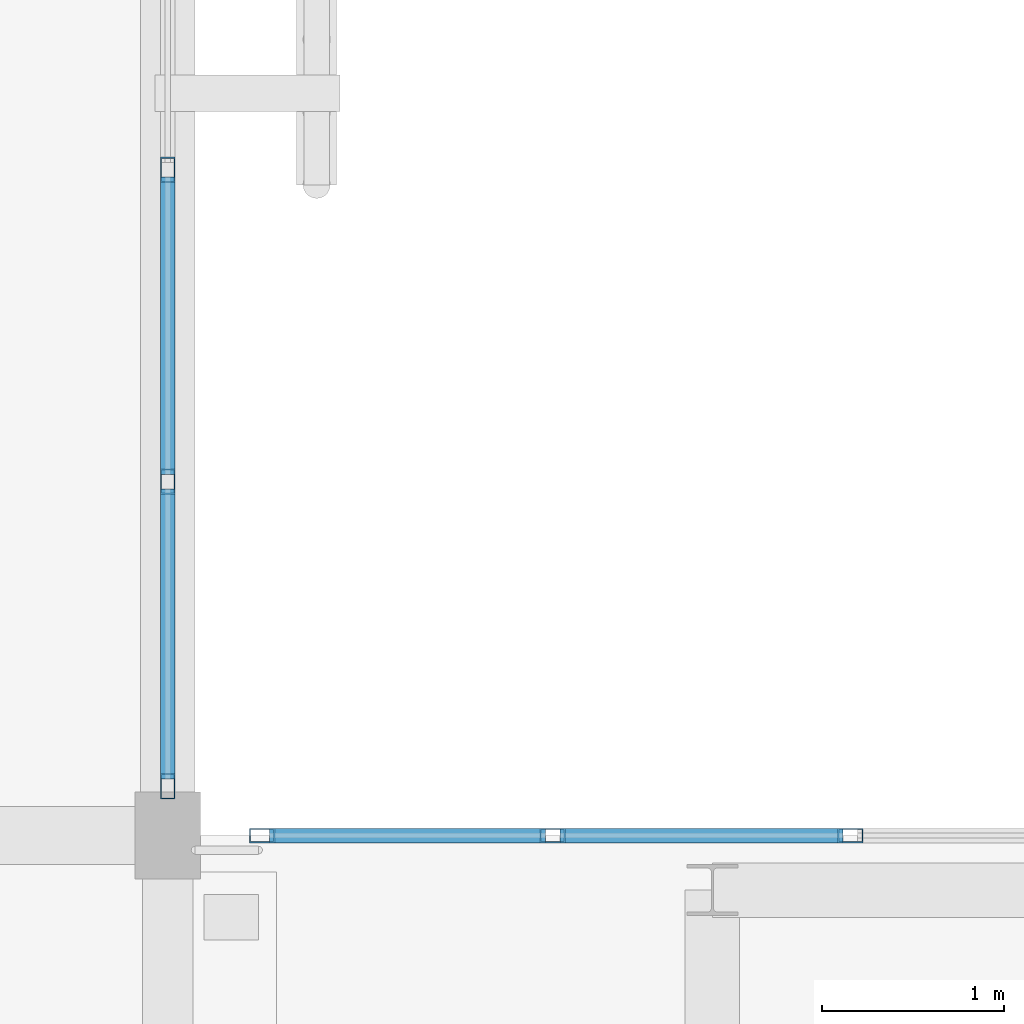
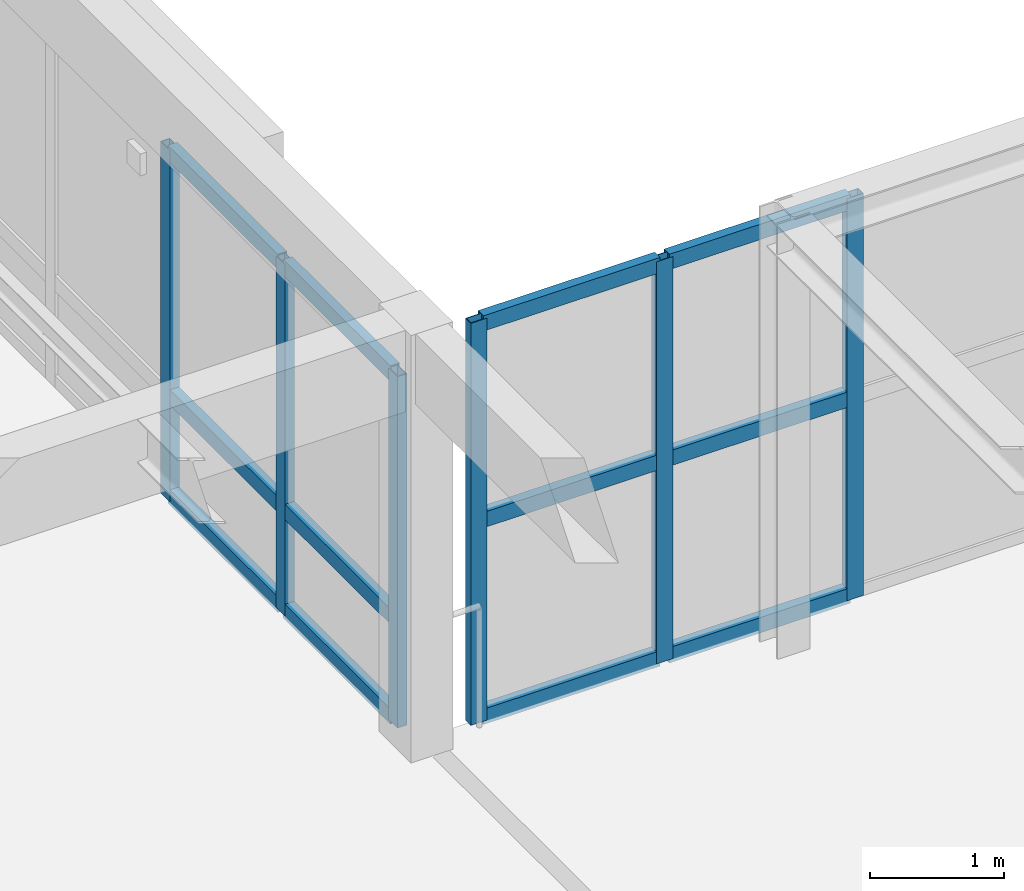
# One storey, part 64 of 217: 18 members, 2 elements without a shape of their own.
"""IFC4 building model written with IfcOpenShell, lengths in metres."""

import ifcopenshell
import ifcopenshell.guid

model = None  # the IFC model being written
_history = None  # IfcOwnerHistory: only IFC2X3 demands one
_inside = {}  # id of a spatial element -> (the spatial element, [elements in it])
_under = {}  # id of a project, library or spatial element -> (it, [spatial elements below it])
_declared = {}  # id of a project -> (the project, [libraries it declares])
_typed = {}  # id of a type object -> (the type object, [elements of that type])
_made_of = {}  # id of a material, layer set ... -> (it, [elements and type objects made of it])


def new_model(schema):
    """Start an empty IFC model of exactly this schema.

    Asked for "IFC4X3", IfcOpenShell would pick the latest addendum, in which some entities
    have other attributes; the version numbers below select the first issue.
    IFC2X3 requires an IfcOwnerHistory on every rooted entity: one is made here for all.
    """
    global model, _history
    if schema == "IFC4X3":
        model = ifcopenshell.file(schema_version=(4, 3, 0, 0))
    else:
        model = ifcopenshell.file(schema=schema)
    _inside.clear()
    _under.clear()
    _declared.clear()
    _typed.clear()
    _made_of.clear()
    _history = None
    if model.schema == "IFC2X3":
        org = make("IfcOrganization", Name="unknown")
        user = make(
            "IfcPersonAndOrganization",
            ThePerson=make("IfcPerson", FamilyName="unknown"),
            TheOrganization=org,
        )
        app = make(
            "IfcApplication",
            ApplicationDeveloper=org,
            Version="unknown",
            ApplicationFullName="unknown",
            ApplicationIdentifier="unknown",
        )
        _history = make(
            "IfcOwnerHistory",
            OwningUser=user,
            OwningApplication=app,
            ChangeAction="ADDED",
            CreationDate=0,
        )
    return model


def make(cls, **values):
    """One entity of the class cls with the attributes given. An attribute that is None is left unset."""
    return model.create_entity(
        cls, **{name: value for name, value in values.items() if value is not None}
    )


def rooted(cls, **values):
    """An entity with a GlobalId (a new one), such as an element, a storey or a relation."""
    return make(cls, GlobalId=ifcopenshell.guid.new(), OwnerHistory=_history, **values)


def si_unit(unit_type, name, prefix=None):
    """IfcSIUnit, for example si_unit("LENGTHUNIT", "METRE", prefix="MILLI")."""
    return make("IfcSIUnit", UnitType=unit_type, Prefix=prefix, Name=name)


def assignment(units):
    """IfcUnitAssignment: the units of a project."""
    return None if units is None else make("IfcUnitAssignment", Units=units)


def point(xyz):
    """IfcCartesianPoint."""
    return None if xyz is None else make("IfcCartesianPoint", Coordinates=xyz)


def direction(xyz):
    """IfcDirection."""
    return None if xyz is None else make("IfcDirection", DirectionRatios=xyz)


def frame(location, z_axis=None, x_axis=None):
    """IfcAxis2Placement3D, a coordinate frame: its origin and axes. An axis left out is left unset."""
    return make(
        "IfcAxis2Placement3D",
        Location=point(location),
        Axis=direction(z_axis),
        RefDirection=direction(x_axis),
    )


def frame_2d(location, x_axis=None):
    """IfcAxis2Placement2D, a coordinate frame in the plane: its origin and x axis."""
    return make(
        "IfcAxis2Placement2D", Location=point(location), RefDirection=direction(x_axis)
    )


def origin():
    """The frame at (0, 0, 0) with its axes left unset."""
    return frame((0.0, 0.0, 0.0))


def origin_2d():
    """The frame at (0, 0) in the plane with its x axis left unset."""
    return frame_2d((0.0, 0.0))


def place(relative_to, where):
    """IfcLocalPlacement: puts the frame where relative to a parent placement (None: the world)."""
    return make(
        "IfcLocalPlacement", PlacementRelTo=relative_to, RelativePlacement=where
    )


def context(
    kind, dimensions, precision=None, world=None, true_north=None, identifier=None
):
    """IfcGeometricRepresentationContext, for example the 3D "Model" context."""
    return make(
        "IfcGeometricRepresentationContext",
        ContextIdentifier=identifier,
        ContextType=kind,
        CoordinateSpaceDimension=dimensions,
        Precision=precision,
        WorldCoordinateSystem=world,
        TrueNorth=true_north,
    )


def subcontext(parent, identifier, kind, view, scale=None):
    """IfcGeometricRepresentationSubContext, for example "Body" below "Model"."""
    return make(
        "IfcGeometricRepresentationSubContext",
        ContextIdentifier=identifier,
        ContextType=kind,
        ParentContext=parent,
        TargetScale=scale,
        TargetView=view,
    )


def project(units=None, contexts=None):
    """IfcProject with its units and contexts."""
    return rooted(
        "IfcProject",
        Name="project",
        RepresentationContexts=contexts,
        UnitsInContext=assignment(units),
    )


def spatial(cls, under=None, at=None, **own):
    """A site, building, storey or space (cls), placed at a placement, below another one or the project."""
    s = rooted(cls, ObjectPlacement=at, **own)
    if under is not None:
        _under.setdefault(under.id(), (under, []))[1].append(s)
    return s


def profile(cls, at=None, kind="AREA", **sizes):
    """A parametric profile (cls). Its sizes go by their IFC names, for example OverallWidth=200.0."""
    return make(cls, ProfileType=kind, Position=at, **sizes)


def hollow_rectangle(**sizes):
    """IfcRectangleHollowProfileDef."""
    return profile("IfcRectangleHollowProfileDef", **sizes)


def extrude(swept, where, along, depth):
    """IfcExtrudedAreaSolid: the profile swept, set in the frame where, extruded along a direction by depth."""
    return make(
        "IfcExtrudedAreaSolid",
        SweptArea=swept,
        Position=where,
        ExtrudedDirection=direction(along),
        Depth=depth,
    )


def shape(context_of_items, identifier, shape_type, items):
    """IfcShapeRepresentation: the items that make up one representation, for example the "Body"."""
    return make(
        "IfcShapeRepresentation",
        ContextOfItems=context_of_items,
        RepresentationIdentifier=identifier,
        RepresentationType=shape_type,
        Items=items,
    )


def material(Name=None, Category=None):
    """IfcMaterial."""
    return make("IfcMaterial", Name=Name, Category=Category)


def layer(
    of_material, thickness, ventilated=None, Name=None, Category=None, Priority=None
):
    """IfcMaterialLayer: one layer of a wall or slab, of a material (None: an air gap)."""
    return make(
        "IfcMaterialLayer",
        Material=of_material,
        LayerThickness=thickness,
        IsVentilated=ventilated,
        Name=Name,
        Category=Category,
        Priority=Priority,
    )


def layer_set(layers, Name=None):
    """IfcMaterialLayerSet."""
    return make("IfcMaterialLayerSet", MaterialLayers=layers, LayerSetName=Name)


def material_profile(
    of_material, cross_section, Name=None, Category=None, Priority=None
):
    """IfcMaterialProfile: a cross section and its material."""
    return make(
        "IfcMaterialProfile",
        Name=Name,
        Material=of_material,
        Profile=cross_section,
        Priority=Priority,
        Category=Category,
    )


def profile_set(profiles, Name=None, composite=None):
    """IfcMaterialProfileSet."""
    return make(
        "IfcMaterialProfileSet",
        Name=Name,
        MaterialProfiles=profiles,
        CompositeProfile=composite,
    )


def made_of(thing, what):
    """Note that an element or type object is made of a material, layer set ...; save() writes the relation."""
    if what is not None:
        _made_of.setdefault(what.id(), (what, []))[1].append(thing)
    return thing


def type_object(cls, material=None, **own):
    """A type object (cls), such as IfcWallType, which elements share."""
    return made_of(rooted(cls, **own), material)


def element(
    cls,
    number,
    at=None,
    inside=None,
    cuts=None,
    type_object=None,
    material=None,
    context=None,
    identifier="Body",
    shape_type=None,
    held_by="IfcProductDefinitionShape",
    body=None,
    shapes=None,
    **own,
):
    """One element of the class cls, such as IfcWall. Its Tag is "e" and its number.

    at: its placement. inside: the storey or other place that contains it. cuts: it is an
    opening in that element (IfcRelVoidsElement). A single representation is given by context,
    identifier, shape_type and body (its items); several are given by shapes. held_by: the class
    of the entity that holds the representations. save() writes the other relations.
    """
    e = rooted(cls, Tag="e%d" % number, ObjectPlacement=at, **own)
    if body is not None:
        shapes = [shape(context, identifier, shape_type, body)]
    if shapes is not None:
        e.Representation = make(held_by, Representations=shapes)
    if inside is not None:
        _inside.setdefault(inside.id(), (inside, []))[1].append(e)
    if cuts is not None:
        rooted(
            "IfcRelVoidsElement", RelatingBuildingElement=cuts, RelatedOpeningElement=e
        )
    if type_object is not None:
        _typed.setdefault(type_object.id(), (type_object, []))[1].append(e)
    return made_of(e, material)


def aggregate(whole, parts):
    """IfcRelAggregates: a whole, such as a stair, and the parts it consists of."""
    return rooted("IfcRelAggregates", RelatingObject=whole, RelatedObjects=parts)


def save(model, path):
    """Write the relations noted so far, then the file.

    IfcRelAggregates (storeys below a building ...), IfcRelContainedInSpatialStructure (elements
    in a storey), IfcRelDefinesByType, IfcRelAssociatesMaterial and IfcRelDeclares: one each for
    every whole, place, type object, material and project.
    """
    for whole, parts in _under.values():
        aggregate(whole, parts)
    for where, things in _inside.values():
        rooted(
            "IfcRelContainedInSpatialStructure",
            RelatedElements=things,
            RelatingStructure=where,
        )
    for kind, things in _typed.values():
        rooted("IfcRelDefinesByType", RelatedObjects=things, RelatingType=kind)
    for what, things in _made_of.values():
        rooted("IfcRelAssociatesMaterial", RelatedObjects=things, RelatingMaterial=what)
    for by, libraries in _declared.values():
        rooted("IfcRelDeclares", RelatingContext=by, RelatedDefinitions=libraries)
    model.write(path)


model = new_model("IFC4")

# Units and contexts
model_context = context("Model", 3, precision=1e-05, world=origin(), true_north=direction((0.0, 1.0)))
body_context = subcontext(model_context, "Body", "Model", "MODEL_VIEW")
ifc_project = project(units=[si_unit("LENGTHUNIT", "METRE"), si_unit("AREAUNIT", "SQUARE_METRE"), si_unit("VOLUMEUNIT", "CUBIC_METRE"), si_unit("PLANEANGLEUNIT", "RADIAN"), si_unit("MASSUNIT", "GRAM", prefix="KILO")], contexts=[model_context])

# Site, building, storey
site_placement = place(None, origin())
site = spatial("IfcSite", under=ifc_project, at=site_placement, CompositionType="ELEMENT")
building_placement = place(site_placement, origin())
building = spatial("IfcBuilding", under=site, at=building_placement, Name="Mazaris Harbour Polytechnic", CompositionType="ELEMENT")
storey_placement = place(building_placement, frame((0.0, 0.0, 9.60009765625)))
storey = spatial("IfcBuildingStorey", under=building, at=storey_placement, Name="L02", CompositionType="ELEMENT", Elevation=9.60009765625)

# Curtain wall, members
ifc_material_1 = material(Name="Anodised Bronze Aluminium and Low-E Glass", Category="aluminium")
ifc_layer_1 = layer(ifc_material_1, 0.159912109375, Name="Anodised Bronze Aluminium and Low-E Glass")
ifc_layer_set_1 = layer_set([ifc_layer_1], Name="Anodised Bronze Aluminium and Low-E Glass")
curtain_wall_type_1 = type_object("IfcCurtainWallType", Name="Cloister Court Curtain Wall", PredefinedType="NOTDEFINED", material=ifc_layer_set_1)
curtain_wall_1_placement = place(storey_placement, origin())
curtain_wall_1 = element("IfcCurtainWall", 1, at=curtain_wall_1_placement, inside=storey, type_object=curtain_wall_type_1, Name="V4 L02 Curtain Wall 132", PredefinedType="NOTDEFINED")
ifc_material_2 = material(Name="Anodised Bronze Steel S355", Category="steel")
ifc_material_profile_1 = material_profile(ifc_material_2, hollow_rectangle(XDim=0.080078125, YDim=0.139892578125, WallThickness=0.00634765625, at=origin_2d()), Name="RHS 80x140x6.3")
ifc_profile_set_1 = profile_set([ifc_material_profile_1], Name="Anodised Bronze Steel S355")
member_type_1 = type_object("IfcMemberType", Name="Curtain Mullion RHS80x140", PredefinedType="MULLION", material=ifc_profile_set_1)
member_1_placement = place(storey_placement, frame((43.199951171875, 86.46728515625, 0.0), z_axis=(0.0, 0.0, 1.0), x_axis=(1.0, 0.0, 0.0)))
member_1 = element("IfcMember", 2, at=member_1_placement, type_object=member_type_1, Name="CW-02 mullion 5", PredefinedType="MULLION", context=body_context, shape_type="SweptSolid", body=[
    extrude(hollow_rectangle(XDim=0.080078125, YDim=0.139892578125, WallThickness=0.00634765625, at=origin_2d()), origin(), (0.0, 0.0, 1.0), 3.199951171875),
])
member_2_placement = place(storey_placement, frame((43.199951171875, 84.749755859375, 0.0), z_axis=(0.0, 0.0, 1.0), x_axis=(1.0, 0.0, 0.0)))
member_2 = element("IfcMember", 3, at=member_2_placement, type_object=member_type_1, Name="CW-02 mullion 6", PredefinedType="MULLION", context=body_context, shape_type="SweptSolid", body=[
    extrude(hollow_rectangle(XDim=0.080078125, YDim=0.139892578125, WallThickness=0.00634765625, at=origin_2d()), origin(), (0.0, 0.0, 1.0), 3.199951171875),
])
member_3_placement = place(storey_placement, frame((43.199951171875, 83.072021484375, 0.0), z_axis=(0.0, 0.0, 1.0), x_axis=(1.0, 0.0, 0.0)))
member_3 = element("IfcMember", 4, at=member_3_placement, type_object=member_type_1, Name="CW-02 mullion 7", PredefinedType="MULLION", context=body_context, shape_type="SweptSolid", body=[
    extrude(hollow_rectangle(XDim=0.080078125, YDim=0.139892578125, WallThickness=0.00634765625, at=origin_2d()), origin(), (0.0, 0.0, 1.0), 3.199951171875),
])

ifc_material_3 = material(Name="Anodised Bronze Aluminium and Low-E Glass", Category="aluminium")
ifc_layer_2 = layer(ifc_material_3, 0.139892578125, Name="Anodised Bronze Aluminium and Low-E Glass")
ifc_layer_set_2 = layer_set([ifc_layer_2], Name="Anodised Bronze Aluminium and Low-E Glass")
curtain_wall_type_2 = type_object("IfcCurtainWallType", Name="Seismic Link Bridge Glazing", PredefinedType="NOTDEFINED", material=ifc_layer_set_2)
curtain_wall_2_placement = place(storey_placement, origin())
curtain_wall_2 = element("IfcCurtainWall", 5, at=curtain_wall_2_placement, inside=storey, type_object=curtain_wall_type_2, Name="PB-W2 L02 Bridge Glazing", PredefinedType="NOTDEFINED")
member_4_placement = place(storey_placement, frame((46.9599609375, 82.800048828125, 0.0), z_axis=(0.0, 0.0, 1.0), x_axis=(0.0, -1.0, 0.0)))
member_4 = element("IfcMember", 6, at=member_4_placement, type_object=member_type_1, Name="CW-05 mullion 5", PredefinedType="MULLION", context=body_context, shape_type="SweptSolid", body=[
    extrude(hollow_rectangle(XDim=0.080078125, YDim=0.139892578125, WallThickness=0.00634765625, at=origin_2d()), origin(), (0.0, 0.0, 1.0), 3.659912109375),
])
member_5_placement = place(storey_placement, frame((45.320068359375, 82.800048828125, 0.0), z_axis=(0.0, 0.0, 1.0), x_axis=(0.0, -1.0, 0.0)))
member_5 = element("IfcMember", 7, at=member_5_placement, type_object=member_type_1, Name="CW-05 mullion 6", PredefinedType="MULLION", context=body_context, shape_type="SweptSolid", body=[
    extrude(hollow_rectangle(XDim=0.080078125, YDim=0.139892578125, WallThickness=0.00634765625, at=origin_2d()), origin(), (0.0, 0.0, 1.0), 3.659912109375),
])
member_6_placement = place(storey_placement, frame((43.719970703125, 82.800048828125, 0.0), z_axis=(0.0, 0.0, 1.0), x_axis=(0.0, -1.0, 0.0)))
member_6 = element("IfcMember", 8, at=member_6_placement, type_object=member_type_1, Name="CW-05 mullion 7", PredefinedType="MULLION", context=body_context, shape_type="SweptSolid", body=[
    extrude(hollow_rectangle(XDim=0.080078125, YDim=0.139892578125, WallThickness=0.00634765625, at=origin_2d()), origin(), (0.0, 0.0, 1.0), 3.659912109375),
])

# Member
ifc_material_4 = material(Name="Anodised Bronze Steel S355", Category="steel")
ifc_material_profile_2 = material_profile(ifc_material_4, hollow_rectangle(XDim=0.080078125, YDim=0.139892578125, WallThickness=0.00634765625, at=origin_2d()), Name="RHS 80x140x6.3")
ifc_profile_set_2 = profile_set([ifc_material_profile_2], Name="Anodised Bronze Steel S355")
member_type_2 = type_object("IfcMemberType", Name="Curtain Transom RHS80x140", PredefinedType="USERDEFINED", material=ifc_profile_set_2)
member_7_placement = place(storey_placement, frame((43.199951171875, 86.42724609375, 0.039794921875), z_axis=(0.0, -1.0, 0.0), x_axis=(1.0, 0.0, 0.0)))
member_7 = element("IfcMember", 9, at=member_7_placement, type_object=member_type_2, Name="CW-02 transom 5.1", ObjectType="TRANSOM", PredefinedType="USERDEFINED", context=body_context, shape_type="SweptSolid", body=[
    extrude(hollow_rectangle(XDim=0.080078125, YDim=0.139892578125, WallThickness=0.00634765625, at=origin_2d()), origin(), (0.0, 0.0, 1.0), 1.6376953125),
])

member_8_placement = place(storey_placement, frame((43.199951171875, 86.42724609375, 0.949951171875), z_axis=(0.0, -1.0, 0.0), x_axis=(1.0, 0.0, 0.0)))
member_8 = element("IfcMember", 10, at=member_8_placement, type_object=member_type_2, Name="CW-02 transom 5.2", ObjectType="TRANSOM", PredefinedType="USERDEFINED", context=body_context, shape_type="SweptSolid", body=[
    extrude(hollow_rectangle(XDim=0.080078125, YDim=0.139892578125, WallThickness=0.00634765625, at=origin_2d()), origin(), (0.0, 0.0, 1.0), 1.6376953125),
])

member_9_placement = place(storey_placement, frame((43.199951171875, 86.42724609375, 3.159912109375), z_axis=(0.0, -1.0, 0.0), x_axis=(1.0, 0.0, 0.0)))
member_9 = element("IfcMember", 11, at=member_9_placement, type_object=member_type_2, Name="CW-02 transom 5.3", ObjectType="TRANSOM", PredefinedType="USERDEFINED", context=body_context, shape_type="SweptSolid", body=[
    extrude(hollow_rectangle(XDim=0.080078125, YDim=0.139892578125, WallThickness=0.00634765625, at=origin_2d()), origin(), (0.0, 0.0, 1.0), 1.6376953125),
])

member_10_placement = place(storey_placement, frame((43.199951171875, 84.709716796875, 0.039794921875), z_axis=(0.0, -1.0, 0.0), x_axis=(1.0, 0.0, 0.0)))
member_10 = element("IfcMember", 12, at=member_10_placement, type_object=member_type_2, Name="CW-02 transom 6.1", ObjectType="TRANSOM", PredefinedType="USERDEFINED", context=body_context, shape_type="SweptSolid", body=[
    extrude(hollow_rectangle(XDim=0.080078125, YDim=0.139892578125, WallThickness=0.00634765625, at=origin_2d()), origin(), (0.0, 0.0, 1.0), 1.59765625),
])

member_11_placement = place(storey_placement, frame((43.199951171875, 84.709716796875, 0.949951171875), z_axis=(0.0, -1.0, 0.0), x_axis=(1.0, 0.0, 0.0)))
member_11 = element("IfcMember", 13, at=member_11_placement, type_object=member_type_2, Name="CW-02 transom 6.2", ObjectType="TRANSOM", PredefinedType="USERDEFINED", context=body_context, shape_type="SweptSolid", body=[
    extrude(hollow_rectangle(XDim=0.080078125, YDim=0.139892578125, WallThickness=0.00634765625, at=origin_2d()), origin(), (0.0, 0.0, 1.0), 1.59765625),
])

member_12_placement = place(storey_placement, frame((43.199951171875, 84.709716796875, 3.159912109375), z_axis=(0.0, -1.0, 0.0), x_axis=(1.0, 0.0, 0.0)))
member_12 = element("IfcMember", 14, at=member_12_placement, type_object=member_type_2, Name="CW-02 transom 6.3", ObjectType="TRANSOM", PredefinedType="USERDEFINED", context=body_context, shape_type="SweptSolid", body=[
    extrude(hollow_rectangle(XDim=0.080078125, YDim=0.139892578125, WallThickness=0.00634765625, at=origin_2d()), origin(), (0.0, 0.0, 1.0), 1.59765625),
])

aggregate(curtain_wall_1, [member_1, member_2, member_3, member_7, member_8, member_9, member_10, member_11, member_12])

member_13_placement = place(storey_placement, frame((46.919921875, 82.800048828125, 0.039794921875), z_axis=(-1.0, 0.0, 0.0), x_axis=(0.0, -1.0, 0.0)))
member_13 = element("IfcMember", 15, at=member_13_placement, type_object=member_type_2, Name="CW-05 transom 5.1", ObjectType="TRANSOM", PredefinedType="USERDEFINED", context=body_context, shape_type="SweptSolid", body=[
    extrude(hollow_rectangle(XDim=0.080078125, YDim=0.139892578125, WallThickness=0.00634765625, at=origin_2d()), origin(), (0.0, 0.0, 1.0), 1.559814453125),
])

member_14_placement = place(storey_placement, frame((46.919921875, 82.800048828125, 1.829833984375), z_axis=(-1.0, 0.0, 0.0), x_axis=(0.0, -1.0, 0.0)))
member_14 = element("IfcMember", 16, at=member_14_placement, type_object=member_type_2, Name="CW-05 transom 5.2", ObjectType="TRANSOM", PredefinedType="USERDEFINED", context=body_context, shape_type="SweptSolid", body=[
    extrude(hollow_rectangle(XDim=0.080078125, YDim=0.139892578125, WallThickness=0.00634765625, at=origin_2d()), origin(), (0.0, 0.0, 1.0), 1.559814453125),
])

member_15_placement = place(storey_placement, frame((46.919921875, 82.800048828125, 3.619873046875), z_axis=(-1.0, 0.0, 0.0), x_axis=(0.0, -1.0, 0.0)))
member_15 = element("IfcMember", 17, at=member_15_placement, type_object=member_type_2, Name="CW-05 transom 5.3", ObjectType="TRANSOM", PredefinedType="USERDEFINED", context=body_context, shape_type="SweptSolid", body=[
    extrude(hollow_rectangle(XDim=0.080078125, YDim=0.139892578125, WallThickness=0.00634765625, at=origin_2d()), origin(), (0.0, 0.0, 1.0), 1.559814453125),
])

member_16_placement = place(storey_placement, frame((45.280029296875, 82.800048828125, 0.039794921875), z_axis=(-1.0, 0.0, 0.0), x_axis=(0.0, -1.0, 0.0)))
member_16 = element("IfcMember", 18, at=member_16_placement, type_object=member_type_2, Name="CW-05 transom 6.1", ObjectType="TRANSOM", PredefinedType="USERDEFINED", context=body_context, shape_type="SweptSolid", body=[
    extrude(hollow_rectangle(XDim=0.080078125, YDim=0.139892578125, WallThickness=0.00634765625, at=origin_2d()), origin(), (0.0, 0.0, 1.0), 1.52001953125),
])

member_17_placement = place(storey_placement, frame((45.280029296875, 82.800048828125, 1.829833984375), z_axis=(-1.0, 0.0, 0.0), x_axis=(0.0, -1.0, 0.0)))
member_17 = element("IfcMember", 19, at=member_17_placement, type_object=member_type_2, Name="CW-05 transom 6.2", ObjectType="TRANSOM", PredefinedType="USERDEFINED", context=body_context, shape_type="SweptSolid", body=[
    extrude(hollow_rectangle(XDim=0.080078125, YDim=0.139892578125, WallThickness=0.00634765625, at=origin_2d()), origin(), (0.0, 0.0, 1.0), 1.52001953125),
])

member_18_placement = place(storey_placement, frame((45.280029296875, 82.800048828125, 3.619873046875), z_axis=(-1.0, 0.0, 0.0), x_axis=(0.0, -1.0, 0.0)))
member_18 = element("IfcMember", 20, at=member_18_placement, type_object=member_type_2, Name="CW-05 transom 6.3", ObjectType="TRANSOM", PredefinedType="USERDEFINED", context=body_context, shape_type="SweptSolid", body=[
    extrude(hollow_rectangle(XDim=0.080078125, YDim=0.139892578125, WallThickness=0.00634765625, at=origin_2d()), origin(), (0.0, 0.0, 1.0), 1.52001953125),
])

aggregate(curtain_wall_2, [member_4, member_5, member_6, member_13, member_14, member_15, member_16, member_17, member_18])

save(model, "model.ifc")
